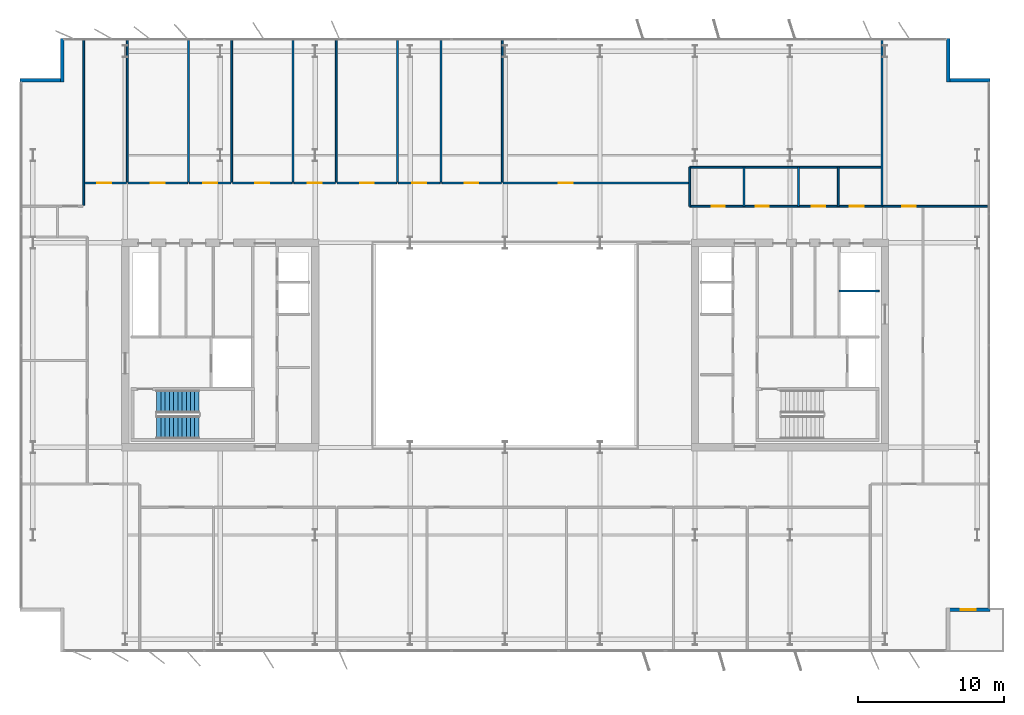
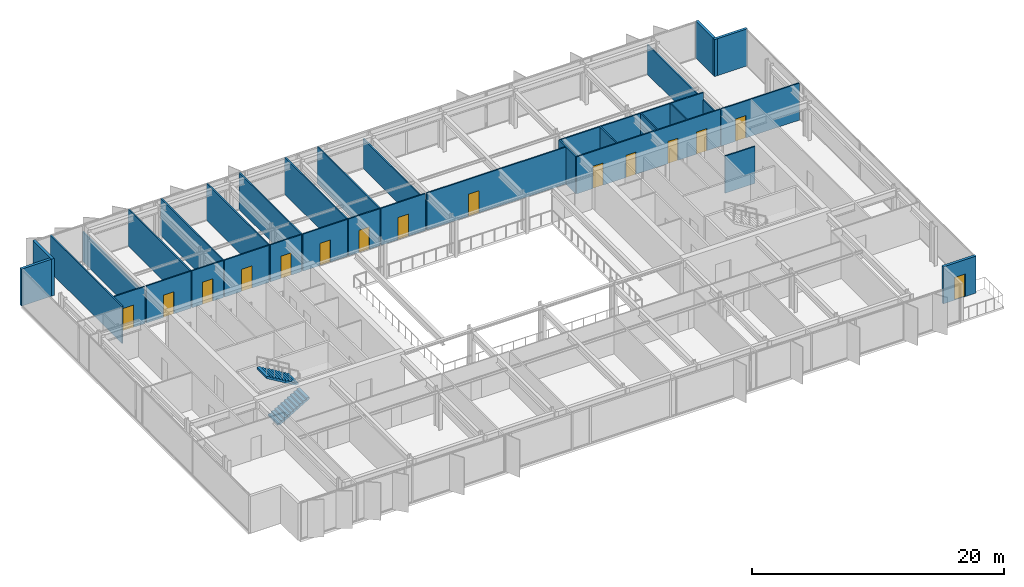
# One storey, part 19 of 24: 32 walls, 15 doors, 2 stair flights, 15 openings, 1 element without a shape of its own.
"""IFC4 building model written with IfcOpenShell, lengths in metres."""

from ifc_helpers import new_model, si_unit, direction, frame, frame_2d, origin, place, context, subcontext, project, spatial, polyline, rectangle, outline, extrude, material, layer, layer_set, type_object, element, fill, aggregate, save


model = new_model("IFC4")

# Units and contexts
model_context = context("Model", 3, precision=1e-05, world=origin(), true_north=direction((0.0, 1.0)))
body_context = subcontext(model_context, "Body", "Model", "MODEL_VIEW")
ifc_project = project(units=[si_unit("LENGTHUNIT", "METRE"), si_unit("AREAUNIT", "SQUARE_METRE"), si_unit("VOLUMEUNIT", "CUBIC_METRE"), si_unit("PLANEANGLEUNIT", "RADIAN"), si_unit("MASSUNIT", "GRAM", prefix="KILO")], contexts=[model_context])

# Site, building, storey
site_placement = place(None, origin())
site = spatial("IfcSite", under=ifc_project, at=site_placement, CompositionType="ELEMENT")
building_placement = place(site_placement, origin())
building = spatial("IfcBuilding", under=site, at=building_placement, Name="Putna Gate Headquarters", CompositionType="ELEMENT")
storey_placement = place(building_placement, frame((0.0, 0.0, 248.0)))
storey = spatial("IfcBuildingStorey", under=building, at=storey_placement, Name="L62", CompositionType="ELEMENT", Elevation=248.0)

# Walls
ifc_material_1 = material(Name="Precast concrete C40/50", Category="concrete")
ifc_layer_1 = layer(ifc_material_1, 0.239990234375)
ifc_layer_set_1 = layer_set([ifc_layer_1], Name="Precast concrete C40/50")
wall_type_1 = type_object("IfcWallType", Name="WALL-EXT-TERR-240", PredefinedType="STANDARD", material=ifc_layer_set_1)
for number, where, z_axis, x_axis, name in (
    (1, (8.679931640625, 44.0, 0.0), (0.0, 0.0, 1.0), (0.0, 1.0, 0.0), "L62 Corner Notch Return Wall NW-V"),
    (2, (5.800048828125, 44.1201171875, 0.0), (0.0, 0.0, 1.0), (1.0, 0.0, 0.0), "L62 Corner Notch Return Wall NW-H"),
    (3, (69.320068359375, 47.0, 0.0), (0.0, 0.0, 1.0), (0.0, -1.0, 0.0), "L62 Corner Notch Return Wall NE-V"),
    (4, (69.199951171875, 44.1201171875, 0.0), (0.0, 0.0, 1.0), (1.0, 0.0, 0.0), "L62 Corner Notch Return Wall NE-H"),
):
    element("IfcWall", number, at=place(storey_placement, frame(where, z_axis=z_axis, x_axis=x_axis)), inside=storey, type_object=wall_type_1, Name=name, PredefinedType="STANDARD", context=body_context, shape_type="SweptSolid", body=[
        extrude(rectangle(XDim=3.0, YDim=0.239990234375, at=frame_2d((1.5, 0.0))), origin(), (0.0, 0.0, 1.0), 3.580078125),
    ])

# Wall, opening, door
wall_1_placement = place(storey_placement, frame((72.199951171875, 7.8798828125, 0.0), z_axis=(0.0, 0.0, 1.0), x_axis=(-1.0, 0.0, 0.0)))
wall_1 = element("IfcWall", 5, at=wall_1_placement, inside=storey, type_object=wall_type_1, Name="L62 Corner Notch Return Wall SE-H", PredefinedType="STANDARD", context=body_context, shape_type="SweptSolid", body=[
    extrude(rectangle(XDim=3.0, YDim=0.239990234375, at=frame_2d((1.5, 0.0))), origin(), (0.0, 0.0, 1.0), 3.580078125),
])
opening_1_placement = place(wall_1_placement, frame((1.0, 0.0, 0.0)))
opening_1 = element("IfcOpeningElement", 6, at=opening_1_placement, cuts=wall_1, Name="Opening TRD-1", PredefinedType="OPENING", context=body_context, shape_type="SweptSolid", body=[
    extrude(rectangle(XDim=1.0, YDim=2.199951171875, at=frame_2d((0.5, 1.10009765625))), frame((0.0, 0.1298828125, 0.0), z_axis=(0.0, -1.0, 0.0), x_axis=(1.0, 0.0, 0.0)), (0.0, 0.0, 1.0), 0.260009765625),
])
ifc_material_2 = material(Name="Thermally broken bronze glazed terrace door")
door_type_1 = type_object("IfcDoorType", Name="DOOR-TERR-EXT-1000", OperationType="NOTDEFINED", PredefinedType="DOOR", material=ifc_material_2)
door_1_placement = place(opening_1_placement, origin())
door_1 = element("IfcDoor", 7, at=door_1_placement, inside=storey, type_object=door_type_1, Name="L62 Spiral Sky Terrace Door SE", OperationType="SINGLE_SWING_RIGHT", OverallHeight=2.199951171875, OverallWidth=1.0, PredefinedType="DOOR", context=body_context, shape_type="SweptSolid", body=[
    extrude(rectangle(XDim=1.0, YDim=2.199951171875, at=frame_2d((0.5, 1.10009765625))), frame((0.0, 0.02490234375, 0.0), z_axis=(0.0, -1.0, 0.0), x_axis=(1.0, 0.0, 0.0)), (0.0, 0.0, 1.0), 0.050048828125),
])
fill(opening_1, door_1)

# Walls
ifc_material_3 = material(Name="Acoustic gypsum board on metal stud")
ifc_layer_2 = layer(ifc_material_3, 0.1201171875)
ifc_layer_set_2 = layer_set([ifc_layer_2], Name="Acoustic gypsum board on metal stud")
wall_type_2 = type_object("IfcWallType", Name="WALL-PART-120", PredefinedType="PARTITIONING", material=ifc_layer_set_2)
wall_2_placement = place(storey_placement, frame((10.169921875, 35.56005859375, 0.0), z_axis=(0.0, 0.0, 1.0), x_axis=(0.0, 1.0, 0.0)))
element("IfcWall", 8, at=wall_2_placement, inside=storey, type_object=wall_type_2, Name="L62 Interior Wall PART-L62-NB-DIV-01", PredefinedType="PARTITIONING", context=body_context, shape_type="SweptSolid", body=[
    extrude(rectangle(XDim=11.419921875, YDim=0.1201171875, at=frame_2d((5.7099609375, 0.0))), origin(), (0.0, 0.0, 1.0), 3.580078125),
])
wall_3_placement = place(storey_placement, frame((13.1376953125, 37.159912109375, 0.0), z_axis=(0.0, 0.0, 1.0), x_axis=(0.0, 1.0, 0.0)))
element("IfcWall", 9, at=wall_3_placement, inside=storey, type_object=wall_type_2, Name="L62 Interior Wall PART-L62-NB-DIV-02", PredefinedType="PARTITIONING", context=body_context, shape_type="SweptSolid", body=[
    extrude(rectangle(XDim=9.820068359375, YDim=0.1201171875, at=frame_2d((4.91015625, 0.0))), origin(), (0.0, 0.0, 1.0), 2.8798828125),
])
for number, where, z_axis, x_axis, name in (
    (10, (17.327392578125, 37.159912109375, 0.0), (0.0, 0.0, 1.0), (0.0, 1.0, 0.0), "L62 Interior Wall PART-L62-NB-DIV-03"),
    (11, (20.295166015625, 37.159912109375, 0.0), (0.0, 0.0, 1.0), (0.0, 1.0, 0.0), "L62 Interior Wall PART-L62-NB-DIV-04"),
    (12, (24.48486328125, 37.159912109375, 0.0), (0.0, 0.0, 1.0), (0.0, 1.0, 0.0), "L62 Interior Wall PART-L62-NB-DIV-05"),
    (13, (27.45263671875, 37.159912109375, 0.0), (0.0, 0.0, 1.0), (0.0, 1.0, 0.0), "L62 Interior Wall PART-L62-NB-DIV-06"),
    (14, (31.642333984375, 37.159912109375, 0.0), (0.0, 0.0, 1.0), (0.0, 1.0, 0.0), "L62 Interior Wall PART-L62-NB-DIV-07"),
    (15, (34.610107421875, 37.159912109375, 0.0), (0.0, 0.0, 1.0), (0.0, 1.0, 0.0), "L62 Interior Wall PART-L62-NB-DIV-08"),
):
    element("IfcWall", number, at=place(storey_placement, frame(where, z_axis=z_axis, x_axis=x_axis)), inside=storey, type_object=wall_type_2, Name=name, PredefinedType="PARTITIONING", context=body_context, shape_type="SweptSolid", body=[
        extrude(rectangle(XDim=9.820068359375, YDim=0.1201171875, at=frame_2d((4.91015625, 0.0))), origin(), (0.0, 0.0, 1.0), 3.580078125),
    ])
wall_4_placement = place(storey_placement, frame((38.800048828125, 37.159912109375, 0.0), z_axis=(0.0, 0.0, 1.0), x_axis=(0.0, 1.0, 0.0)))
element("IfcWall", 16, at=wall_4_placement, inside=storey, type_object=wall_type_2, Name="L62 Interior Wall PART-L62-NB-DIV-09", PredefinedType="PARTITIONING", context=body_context, shape_type="SweptSolid", body=[
    extrude(rectangle(XDim=9.820068359375, YDim=0.1201171875, at=frame_2d((4.91015625, 0.0))), origin(), (0.0, 0.0, 1.0), 2.8798828125),
])
wall_5_placement = place(storey_placement, frame((64.800048828125, 35.56005859375, 0.0), z_axis=(0.0, 0.0, 1.0), x_axis=(0.0, 1.0, 0.0)))
element("IfcWall", 17, at=wall_5_placement, inside=storey, type_object=wall_type_2, Name="L62 Interior Wall PART-L62-NB-DIV-10", PredefinedType="PARTITIONING", context=body_context, shape_type="SweptSolid", body=[
    extrude(rectangle(XDim=11.419921875, YDim=0.1201171875, at=frame_2d((5.7099609375, 0.0))), origin(), (0.0, 0.0, 1.0), 2.8798828125),
])
ifc_material_4 = material(Name="Fire-rated shaftwall gypsum board on metal stud")
ifc_layer_3 = layer(ifc_material_4, 0.1201171875)
ifc_layer_set_3 = layer_set([ifc_layer_3], Name="Fire-rated shaftwall gypsum board on metal stud")
wall_type_3 = type_object("IfcWallType", Name="WALL-PART-120-EI120", PredefinedType="PARTITIONING", material=ifc_layer_set_3)
wall_6_placement = place(storey_placement, frame((61.8701171875, 29.699951171875, 0.0), z_axis=(0.0, 0.0, 1.0), x_axis=(1.0, 0.0, 0.0)))
element("IfcWall", 18, at=wall_6_placement, inside=storey, type_object=wall_type_3, Name="L62 Interior Wall CWINT-L62-EC-LF15-N", PredefinedType="PARTITIONING", context=body_context, shape_type="SweptSolid", body=[
    extrude(rectangle(XDim=2.72998046875, YDim=0.1201171875, at=frame_2d((1.364990234375, 0.0))), origin(), (0.0, 0.0, 1.0), 3.580078125),
])

# Wall, openings, doors
ifc_material_5 = material(Name="Fire-rated gypsum board on metal stud")
ifc_layer_4 = layer(ifc_material_5, 0.1201171875)
ifc_layer_set_4 = layer_set([ifc_layer_4], Name="Fire-rated gypsum board on metal stud")
wall_type_4 = type_object("IfcWallType", Name="WALL-PART-120-RATED", PredefinedType="PARTITIONING", material=ifc_layer_set_4)
wall_7_placement = place(storey_placement, frame((51.639892578125, 35.5, 0.0), z_axis=(0.0, 0.0, 1.0), x_axis=(1.0, 0.0, 0.0)))
wall_7 = element("IfcWall", 19, at=wall_7_placement, inside=storey, type_object=wall_type_4, Name="L62 Interior Wall PART-L62-SAN-CW", PredefinedType="PARTITIONING", context=body_context, shape_type="SweptSolid", body=[
    extrude(rectangle(XDim=13.16015625, YDim=0.1201171875, at=frame_2d((6.580078125, 0.0))), origin(), (0.0, 0.0, 1.0), 3.580078125),
])
opening_2_placement = place(wall_7_placement, frame((1.510009765625, 0.0, 0.0)))
opening_2 = element("IfcOpeningElement", 20, at=opening_2_placement, cuts=wall_7, Name="Opening FD-90", PredefinedType="OPENING", context=body_context, shape_type="SweptSolid", body=[
    extrude(rectangle(XDim=0.89990234375, YDim=2.14990234375, at=frame_2d((0.449951171875, 1.074951171875))), frame((0.0, 0.070068359375, 0.0), z_axis=(0.0, -1.0, 0.0), x_axis=(1.0, 0.0, 0.0)), (0.0, 0.0, 1.0), 0.14013671875),
])
opening_3_placement = place(wall_7_placement, frame((4.510009765625, 0.0, 0.0)))
opening_3 = element("IfcOpeningElement", 21, at=opening_3_placement, cuts=wall_7, Name="Opening FD-90", PredefinedType="OPENING", context=body_context, shape_type="SweptSolid", body=[
    extrude(rectangle(XDim=0.89990234375, YDim=2.14990234375, at=frame_2d((0.449951171875, 1.074951171875))), frame((0.0, 0.070068359375, 0.0), z_axis=(0.0, -1.0, 0.0), x_axis=(1.0, 0.0, 0.0)), (0.0, 0.0, 1.0), 0.14013671875),
])
opening_4_placement = place(wall_7_placement, frame((8.360107421875, 0.0, 0.0)))
opening_4 = element("IfcOpeningElement", 22, at=opening_4_placement, cuts=wall_7, Name="Opening FD-90", PredefinedType="OPENING", context=body_context, shape_type="SweptSolid", body=[
    extrude(rectangle(XDim=0.89990234375, YDim=2.14990234375, at=frame_2d((0.449951171875, 1.074951171875))), frame((0.0, 0.070068359375, 0.0), z_axis=(0.0, -1.0, 0.0), x_axis=(1.0, 0.0, 0.0)), (0.0, 0.0, 1.0), 0.14013671875),
])
opening_5_placement = place(wall_7_placement, frame((10.9599609375, 0.0, 0.0)))
opening_5 = element("IfcOpeningElement", 23, at=opening_5_placement, cuts=wall_7, Name="Opening FD-95", PredefinedType="OPENING", context=body_context, shape_type="SweptSolid", body=[
    extrude(rectangle(XDim=0.949951171875, YDim=2.14990234375, at=frame_2d((0.47509765625, 1.074951171875))), frame((0.0, 0.070068359375, 0.0), z_axis=(0.0, -1.0, 0.0), x_axis=(1.0, 0.0, 0.0)), (0.0, 0.0, 1.0), 0.14013671875),
])
ifc_material_6 = material(Name="Acoustic washroom fire door")
door_type_2 = type_object("IfcDoorType", Name="DOOR-FIRE-900", OperationType="NOTDEFINED", PredefinedType="DOOR", material=ifc_material_6)
door_2_placement = place(opening_2_placement, origin())
door_2 = element("IfcDoor", 24, at=door_2_placement, inside=storey, type_object=door_type_2, Name="L62 Washroom Male Door", OperationType="SINGLE_SWING_RIGHT", OverallHeight=2.14990234375, OverallWidth=0.89990234375, PredefinedType="DOOR", context=body_context, shape_type="SweptSolid", body=[
    extrude(rectangle(XDim=0.89990234375, YDim=2.14990234375, at=frame_2d((0.449951171875, 1.074951171875))), frame((0.0, 0.02490234375, 0.0), z_axis=(0.0, -1.0, 0.0), x_axis=(1.0, 0.0, 0.0)), (0.0, 0.0, 1.0), 0.050048828125),
])
fill(opening_2, door_2)
door_3_placement = place(opening_3_placement, origin())
door_3 = element("IfcDoor", 25, at=door_3_placement, inside=storey, type_object=door_type_2, Name="L62 Washroom Female Door", OperationType="SINGLE_SWING_LEFT", OverallHeight=2.14990234375, OverallWidth=0.89990234375, PredefinedType="DOOR", context=body_context, shape_type="SweptSolid", body=[
    extrude(rectangle(XDim=0.89990234375, YDim=2.14990234375, at=frame_2d((0.449951171875, 1.074951171875))), frame((0.0, 0.02490234375, 0.0), z_axis=(0.0, -1.0, 0.0), x_axis=(1.0, 0.0, 0.0)), (0.0, 0.0, 1.0), 0.050048828125),
])
fill(opening_3, door_3)
door_4_placement = place(opening_4_placement, origin())
door_4 = element("IfcDoor", 26, at=door_4_placement, inside=storey, type_object=door_type_2, Name="L62 Accessible WC Door", OperationType="SINGLE_SWING_RIGHT", OverallHeight=2.14990234375, OverallWidth=0.89990234375, PredefinedType="DOOR", context=body_context, shape_type="SweptSolid", body=[
    extrude(rectangle(XDim=0.89990234375, YDim=2.14990234375, at=frame_2d((0.449951171875, 1.074951171875))), frame((0.0, 0.02490234375, 0.0), z_axis=(0.0, -1.0, 0.0), x_axis=(1.0, 0.0, 0.0)), (0.0, 0.0, 1.0), 0.050048828125),
])
fill(opening_4, door_4)
ifc_material_7 = material(Name="Acoustic timber fire door", Category="wood")
door_type_3 = type_object("IfcDoorType", Name="DOOR-FIRE-950", OperationType="NOTDEFINED", PredefinedType="DOOR", material=ifc_material_7)
door_5_placement = place(opening_5_placement, origin())
door_5 = element("IfcDoor", 27, at=door_5_placement, inside=storey, type_object=door_type_3, Name="L62 Staff Pantry and Tea Point Door", OperationType="SINGLE_SWING_LEFT", OverallHeight=2.14990234375, OverallWidth=0.949951171875, PredefinedType="DOOR", context=body_context, shape_type="SweptSolid", body=[
    extrude(rectangle(XDim=0.949951171875, YDim=2.14990234375, at=frame_2d((0.47509765625, 1.074951171875))), frame((0.0, 0.02490234375, 0.0), z_axis=(0.0, -1.0, 0.0), x_axis=(1.0, 0.0, 0.0)), (0.0, 0.0, 1.0), 0.050048828125),
])
fill(opening_5, door_5)

# Walls
wall_8_placement = place(storey_placement, frame((51.639892578125, 38.179931640625, 0.0), z_axis=(0.0, 0.0, 1.0), x_axis=(1.0, 0.0, 0.0)))
element("IfcWall", 28, at=wall_8_placement, inside=storey, type_object=wall_type_4, Name="L62 Interior Wall PART-L62-SAN-BACK", PredefinedType="PARTITIONING", context=body_context, shape_type="SweptSolid", body=[
    extrude(rectangle(XDim=13.16015625, YDim=0.1201171875, at=frame_2d((6.580078125, 0.0))), origin(), (0.0, 0.0, 1.0), 3.580078125),
])
for number, where, z_axis, x_axis, name in (
    (29, (51.639892578125, 35.5, 0.0), (0.0, 0.0, 1.0), (0.0, 1.0, 0.0), "L62 Interior Wall PART-L62-SAN-DIV-1"),
    (30, (55.360107421875, 35.5, 0.0), (0.0, 0.0, 1.0), (0.0, 1.0, 0.0), "L62 Interior Wall PART-L62-SAN-DIV-2"),
    (31, (59.080078125, 35.5, 0.0), (0.0, 0.0, 1.0), (0.0, 1.0, 0.0), "L62 Interior Wall PART-L62-SAN-DIV-3"),
    (32, (61.800048828125, 35.5, 0.0), (0.0, 0.0, 1.0), (0.0, 1.0, 0.0), "L62 Interior Wall PART-L62-SAN-DIV-4"),
):
    element("IfcWall", number, at=place(storey_placement, frame(where, z_axis=z_axis, x_axis=x_axis)), inside=storey, type_object=wall_type_4, Name=name, PredefinedType="PARTITIONING", context=body_context, shape_type="SweptSolid", body=[
        extrude(rectangle(XDim=2.679931640625, YDim=0.1201171875, at=frame_2d((1.33984375, 0.0))), origin(), (0.0, 0.0, 1.0), 3.580078125),
    ])

# Wall, opening, door
wall_9_placement = place(storey_placement, frame((10.229736328125, 37.10009765625, 0.0), z_axis=(0.0, 0.0, 1.0), x_axis=(1.0, 0.0, 0.0)))
wall_9 = element("IfcWall", 33, at=wall_9_placement, inside=storey, type_object=wall_type_4, Name="L62 Interior Wall PART-L62-NB-CW-02", PredefinedType="PARTITIONING", context=body_context, shape_type="SweptSolid", body=[
    extrude(rectangle(XDim=2.847900390625, YDim=0.1201171875, at=frame_2d((1.423828125, 0.0))), origin(), (0.0, 0.0, 1.0), 3.580078125),
])
opening_6_placement = place(wall_9_placement, frame((0.854248046875, 0.0, 0.0)))
opening_6 = element("IfcOpeningElement", 34, at=opening_6_placement, cuts=wall_9, Name="Opening FD-95", PredefinedType="OPENING", context=body_context, shape_type="SweptSolid", body=[
    extrude(rectangle(XDim=0.949951171875, YDim=2.14990234375, at=frame_2d((0.47509765625, 1.074951171875))), frame((0.0, 0.070068359375, 0.0), z_axis=(0.0, -1.0, 0.0), x_axis=(1.0, 0.0, 0.0)), (0.0, 0.0, 1.0), 0.14013671875),
])
door_6_placement = place(opening_6_placement, origin())
door_6 = element("IfcDoor", 35, at=door_6_placement, inside=storey, type_object=door_type_3, Name="L62 Cellular Office 5 Door", OperationType="SINGLE_SWING_LEFT", OverallHeight=2.14990234375, OverallWidth=0.949951171875, PredefinedType="DOOR", context=body_context, shape_type="SweptSolid", body=[
    extrude(rectangle(XDim=0.949951171875, YDim=2.14990234375, at=frame_2d((0.47509765625, 1.074951171875))), frame((0.0, 0.02490234375, 0.0), z_axis=(0.0, -1.0, 0.0), x_axis=(1.0, 0.0, 0.0)), (0.0, 0.0, 1.0), 0.050048828125),
])
fill(opening_6, door_6)

wall_10_placement = place(storey_placement, frame((13.197509765625, 37.10009765625, 0.0), z_axis=(0.0, 0.0, 1.0), x_axis=(1.0, 0.0, 0.0)))
wall_10 = element("IfcWall", 36, at=wall_10_placement, inside=storey, type_object=wall_type_4, Name="L62 Interior Wall PART-L62-NB-CW-03", PredefinedType="PARTITIONING", context=body_context, shape_type="SweptSolid", body=[
    extrude(rectangle(XDim=4.06982421875, YDim=0.1201171875, at=frame_2d((2.034912109375, 0.0))), origin(), (0.0, 0.0, 1.0), 3.580078125),
])
opening_7_placement = place(wall_10_placement, frame((1.559814453125, 0.0, 0.0)))
opening_7 = element("IfcOpeningElement", 37, at=opening_7_placement, cuts=wall_10, Name="Opening FD-95", PredefinedType="OPENING", context=body_context, shape_type="SweptSolid", body=[
    extrude(rectangle(XDim=0.949951171875, YDim=2.14990234375, at=frame_2d((0.47509765625, 1.074951171875))), frame((0.0, 0.070068359375, 0.0), z_axis=(0.0, -1.0, 0.0), x_axis=(1.0, 0.0, 0.0)), (0.0, 0.0, 1.0), 0.14013671875),
])
door_7_placement = place(opening_7_placement, origin())
door_7 = element("IfcDoor", 38, at=door_7_placement, inside=storey, type_object=door_type_3, Name="L62 Cellular Office 6 Door", OperationType="SINGLE_SWING_RIGHT", OverallHeight=2.14990234375, OverallWidth=0.949951171875, PredefinedType="DOOR", context=body_context, shape_type="SweptSolid", body=[
    extrude(rectangle(XDim=0.949951171875, YDim=2.14990234375, at=frame_2d((0.47509765625, 1.074951171875))), frame((0.0, 0.02490234375, 0.0), z_axis=(0.0, -1.0, 0.0), x_axis=(1.0, 0.0, 0.0)), (0.0, 0.0, 1.0), 0.050048828125),
])
fill(opening_7, door_7)

wall_11_placement = place(storey_placement, frame((17.38720703125, 37.10009765625, 0.0), z_axis=(0.0, 0.0, 1.0), x_axis=(1.0, 0.0, 0.0)))
wall_11 = element("IfcWall", 39, at=wall_11_placement, inside=storey, type_object=wall_type_4, Name="L62 Interior Wall PART-L62-NB-CW-04", PredefinedType="PARTITIONING", context=body_context, shape_type="SweptSolid", body=[
    extrude(rectangle(XDim=2.847900390625, YDim=0.1201171875, at=frame_2d((1.423828125, 0.0))), origin(), (0.0, 0.0, 1.0), 3.580078125),
])
opening_8_placement = place(wall_11_placement, frame((0.948974609375, 0.0, 0.0)))
opening_8 = element("IfcOpeningElement", 40, at=opening_8_placement, cuts=wall_11, Name="Opening FD-95", PredefinedType="OPENING", context=body_context, shape_type="SweptSolid", body=[
    extrude(rectangle(XDim=0.949951171875, YDim=2.14990234375, at=frame_2d((0.47509765625, 1.074951171875))), frame((0.0, 0.070068359375, 0.0), z_axis=(0.0, -1.0, 0.0), x_axis=(1.0, 0.0, 0.0)), (0.0, 0.0, 1.0), 0.14013671875),
])
door_8_placement = place(opening_8_placement, origin())
door_8 = element("IfcDoor", 41, at=door_8_placement, inside=storey, type_object=door_type_3, Name="L62 Cellular Office 7 Door", OperationType="SINGLE_SWING_LEFT", OverallHeight=2.14990234375, OverallWidth=0.949951171875, PredefinedType="DOOR", context=body_context, shape_type="SweptSolid", body=[
    extrude(rectangle(XDim=0.949951171875, YDim=2.14990234375, at=frame_2d((0.47509765625, 1.074951171875))), frame((0.0, 0.02490234375, 0.0), z_axis=(0.0, -1.0, 0.0), x_axis=(1.0, 0.0, 0.0)), (0.0, 0.0, 1.0), 0.050048828125),
])
fill(opening_8, door_8)

wall_12_placement = place(storey_placement, frame((20.35498046875, 37.10009765625, 0.0), z_axis=(0.0, 0.0, 1.0), x_axis=(1.0, 0.0, 0.0)))
wall_12 = element("IfcWall", 42, at=wall_12_placement, inside=storey, type_object=wall_type_4, Name="L62 Interior Wall PART-L62-NB-CW-05", PredefinedType="PARTITIONING", context=body_context, shape_type="SweptSolid", body=[
    extrude(rectangle(XDim=4.06982421875, YDim=0.1201171875, at=frame_2d((2.034912109375, 0.0))), origin(), (0.0, 0.0, 1.0), 3.580078125),
])
opening_9_placement = place(wall_12_placement, frame((1.559814453125, 0.0, 0.0)))
opening_9 = element("IfcOpeningElement", 43, at=opening_9_placement, cuts=wall_12, Name="Opening FD-95", PredefinedType="OPENING", context=body_context, shape_type="SweptSolid", body=[
    extrude(rectangle(XDim=0.949951171875, YDim=2.14990234375, at=frame_2d((0.47509765625, 1.074951171875))), frame((0.0, 0.070068359375, 0.0), z_axis=(0.0, -1.0, 0.0), x_axis=(1.0, 0.0, 0.0)), (0.0, 0.0, 1.0), 0.14013671875),
])
door_9_placement = place(opening_9_placement, origin())
door_9 = element("IfcDoor", 44, at=door_9_placement, inside=storey, type_object=door_type_3, Name="L62 Cellular Office 8 Door", OperationType="SINGLE_SWING_RIGHT", OverallHeight=2.14990234375, OverallWidth=0.949951171875, PredefinedType="DOOR", context=body_context, shape_type="SweptSolid", body=[
    extrude(rectangle(XDim=0.949951171875, YDim=2.14990234375, at=frame_2d((0.47509765625, 1.074951171875))), frame((0.0, 0.02490234375, 0.0), z_axis=(0.0, -1.0, 0.0), x_axis=(1.0, 0.0, 0.0)), (0.0, 0.0, 1.0), 0.050048828125),
])
fill(opening_9, door_9)

wall_13_placement = place(storey_placement, frame((24.544921875, 37.10009765625, 0.0), z_axis=(0.0, 0.0, 1.0), x_axis=(1.0, 0.0, 0.0)))
wall_13 = element("IfcWall", 45, at=wall_13_placement, inside=storey, type_object=wall_type_4, Name="L62 Interior Wall PART-L62-NB-CW-06", PredefinedType="PARTITIONING", context=body_context, shape_type="SweptSolid", body=[
    extrude(rectangle(XDim=2.84765625, YDim=0.1201171875, at=frame_2d((1.423828125, 0.0))), origin(), (0.0, 0.0, 1.0), 3.580078125),
])
opening_10_placement = place(wall_13_placement, frame((0.948974609375, 0.0, 0.0)))
opening_10 = element("IfcOpeningElement", 46, at=opening_10_placement, cuts=wall_13, Name="Opening FD-95", PredefinedType="OPENING", context=body_context, shape_type="SweptSolid", body=[
    extrude(rectangle(XDim=0.949951171875, YDim=2.14990234375, at=frame_2d((0.47509765625, 1.074951171875))), frame((0.0, 0.070068359375, 0.0), z_axis=(0.0, -1.0, 0.0), x_axis=(1.0, 0.0, 0.0)), (0.0, 0.0, 1.0), 0.14013671875),
])
door_10_placement = place(opening_10_placement, origin())
door_10 = element("IfcDoor", 47, at=door_10_placement, inside=storey, type_object=door_type_3, Name="L62 Conference Meeting Room 1 Door", OperationType="SINGLE_SWING_LEFT", OverallHeight=2.14990234375, OverallWidth=0.949951171875, PredefinedType="DOOR", context=body_context, shape_type="SweptSolid", body=[
    extrude(rectangle(XDim=0.949951171875, YDim=2.14990234375, at=frame_2d((0.47509765625, 1.074951171875))), frame((0.0, 0.02490234375, 0.0), z_axis=(0.0, -1.0, 0.0), x_axis=(1.0, 0.0, 0.0)), (0.0, 0.0, 1.0), 0.050048828125),
])
fill(opening_10, door_10)

wall_14_placement = place(storey_placement, frame((27.5126953125, 37.10009765625, 0.0), z_axis=(0.0, 0.0, 1.0), x_axis=(1.0, 0.0, 0.0)))
wall_14 = element("IfcWall", 48, at=wall_14_placement, inside=storey, type_object=wall_type_4, Name="L62 Interior Wall PART-L62-NB-CW-07", PredefinedType="PARTITIONING", context=body_context, shape_type="SweptSolid", body=[
    extrude(rectangle(XDim=4.06982421875, YDim=0.1201171875, at=frame_2d((2.034912109375, 0.0))), origin(), (0.0, 0.0, 1.0), 3.580078125),
])
opening_11_placement = place(wall_14_placement, frame((1.559814453125, 0.0, 0.0)))
opening_11 = element("IfcOpeningElement", 49, at=opening_11_placement, cuts=wall_14, Name="Opening FD-95", PredefinedType="OPENING", context=body_context, shape_type="SweptSolid", body=[
    extrude(rectangle(XDim=0.949951171875, YDim=2.14990234375, at=frame_2d((0.47509765625, 1.074951171875))), frame((0.0, 0.070068359375, 0.0), z_axis=(0.0, -1.0, 0.0), x_axis=(1.0, 0.0, 0.0)), (0.0, 0.0, 1.0), 0.14013671875),
])
door_11_placement = place(opening_11_placement, origin())
door_11 = element("IfcDoor", 50, at=door_11_placement, inside=storey, type_object=door_type_3, Name="L62 Conference Meeting Room 2 Door", OperationType="SINGLE_SWING_RIGHT", OverallHeight=2.14990234375, OverallWidth=0.949951171875, PredefinedType="DOOR", context=body_context, shape_type="SweptSolid", body=[
    extrude(rectangle(XDim=0.949951171875, YDim=2.14990234375, at=frame_2d((0.47509765625, 1.074951171875))), frame((0.0, 0.02490234375, 0.0), z_axis=(0.0, -1.0, 0.0), x_axis=(1.0, 0.0, 0.0)), (0.0, 0.0, 1.0), 0.050048828125),
])
fill(opening_11, door_11)

wall_15_placement = place(storey_placement, frame((31.702392578125, 37.10009765625, 0.0), z_axis=(0.0, 0.0, 1.0), x_axis=(1.0, 0.0, 0.0)))
wall_15 = element("IfcWall", 51, at=wall_15_placement, inside=storey, type_object=wall_type_4, Name="L62 Interior Wall PART-L62-NB-CW-08", PredefinedType="PARTITIONING", context=body_context, shape_type="SweptSolid", body=[
    extrude(rectangle(XDim=2.847900390625, YDim=0.1201171875, at=frame_2d((1.423828125, 0.0))), origin(), (0.0, 0.0, 1.0), 3.580078125),
])
opening_12_placement = place(wall_15_placement, frame((0.948974609375, 0.0, 0.0)))
opening_12 = element("IfcOpeningElement", 52, at=opening_12_placement, cuts=wall_15, Name="Opening FD-95", PredefinedType="OPENING", context=body_context, shape_type="SweptSolid", body=[
    extrude(rectangle(XDim=0.949951171875, YDim=2.14990234375, at=frame_2d((0.47509765625, 1.074951171875))), frame((0.0, 0.070068359375, 0.0), z_axis=(0.0, -1.0, 0.0), x_axis=(1.0, 0.0, 0.0)), (0.0, 0.0, 1.0), 0.14013671875),
])
door_12_placement = place(opening_12_placement, origin())
door_12 = element("IfcDoor", 53, at=door_12_placement, inside=storey, type_object=door_type_3, Name="L62 Conference Meeting Room 3 Door", OperationType="SINGLE_SWING_LEFT", OverallHeight=2.14990234375, OverallWidth=0.949951171875, PredefinedType="DOOR", context=body_context, shape_type="SweptSolid", body=[
    extrude(rectangle(XDim=0.949951171875, YDim=2.14990234375, at=frame_2d((0.47509765625, 1.074951171875))), frame((0.0, 0.02490234375, 0.0), z_axis=(0.0, -1.0, 0.0), x_axis=(1.0, 0.0, 0.0)), (0.0, 0.0, 1.0), 0.050048828125),
])
fill(opening_12, door_12)

wall_16_placement = place(storey_placement, frame((34.670166015625, 37.10009765625, 0.0), z_axis=(0.0, 0.0, 1.0), x_axis=(1.0, 0.0, 0.0)))
wall_16 = element("IfcWall", 54, at=wall_16_placement, inside=storey, type_object=wall_type_4, Name="L62 Interior Wall PART-L62-NB-CW-09", PredefinedType="PARTITIONING", context=body_context, shape_type="SweptSolid", body=[
    extrude(rectangle(XDim=4.06982421875, YDim=0.1201171875, at=frame_2d((2.034912109375, 0.0))), origin(), (0.0, 0.0, 1.0), 3.580078125),
])
opening_13_placement = place(wall_16_placement, frame((1.559814453125, 0.0, 0.0)))
opening_13 = element("IfcOpeningElement", 55, at=opening_13_placement, cuts=wall_16, Name="Opening FD-95", PredefinedType="OPENING", context=body_context, shape_type="SweptSolid", body=[
    extrude(rectangle(XDim=0.949951171875, YDim=2.14990234375, at=frame_2d((0.47509765625, 1.074951171875))), frame((0.0, 0.070068359375, 0.0), z_axis=(0.0, -1.0, 0.0), x_axis=(1.0, 0.0, 0.0)), (0.0, 0.0, 1.0), 0.14013671875),
])
door_13_placement = place(opening_13_placement, origin())
door_13 = element("IfcDoor", 56, at=door_13_placement, inside=storey, type_object=door_type_3, Name="L62 Conference Meeting Room 4 Door", OperationType="SINGLE_SWING_RIGHT", OverallHeight=2.14990234375, OverallWidth=0.949951171875, PredefinedType="DOOR", context=body_context, shape_type="SweptSolid", body=[
    extrude(rectangle(XDim=0.949951171875, YDim=2.14990234375, at=frame_2d((0.47509765625, 1.074951171875))), frame((0.0, 0.02490234375, 0.0), z_axis=(0.0, -1.0, 0.0), x_axis=(1.0, 0.0, 0.0)), (0.0, 0.0, 1.0), 0.050048828125),
])
fill(opening_13, door_13)

wall_17_placement = place(storey_placement, frame((38.860107421875, 37.10009765625, 0.0), z_axis=(0.0, 0.0, 1.0), x_axis=(1.0, 0.0, 0.0)))
wall_17 = element("IfcWall", 57, at=wall_17_placement, inside=storey, type_object=wall_type_4, Name="L62 Interior Wall PART-L62-NB-CW-10", PredefinedType="PARTITIONING", context=body_context, shape_type="SweptSolid", body=[
    extrude(rectangle(XDim=12.719970703125, YDim=0.1201171875, at=frame_2d((6.35986328125, 0.0))), origin(), (0.0, 0.0, 1.0), 3.580078125),
])
opening_14_placement = place(wall_17_placement, frame((3.81591796875, 0.0, 0.0)))
opening_14 = element("IfcOpeningElement", 58, at=opening_14_placement, cuts=wall_17, Name="Opening FD-95", PredefinedType="OPENING", context=body_context, shape_type="SweptSolid", body=[
    extrude(rectangle(XDim=0.949951171875, YDim=2.14990234375, at=frame_2d((0.47509765625, 1.074951171875))), frame((0.0, 0.070068359375, 0.0), z_axis=(0.0, -1.0, 0.0), x_axis=(1.0, 0.0, 0.0)), (0.0, 0.0, 1.0), 0.14013671875),
])
door_14_placement = place(opening_14_placement, origin())
door_14 = element("IfcDoor", 59, at=door_14_placement, inside=storey, type_object=door_type_3, Name="L62 Primary Open Office Workplace Door", OperationType="SINGLE_SWING_LEFT", OverallHeight=2.14990234375, OverallWidth=0.949951171875, PredefinedType="DOOR", context=body_context, shape_type="SweptSolid", body=[
    extrude(rectangle(XDim=0.949951171875, YDim=2.14990234375, at=frame_2d((0.47509765625, 1.074951171875))), frame((0.0, 0.02490234375, 0.0), z_axis=(0.0, -1.0, 0.0), x_axis=(1.0, 0.0, 0.0)), (0.0, 0.0, 1.0), 0.050048828125),
])
fill(opening_14, door_14)

wall_18_placement = place(storey_placement, frame((64.860107421875, 35.5, 0.0), z_axis=(0.0, 0.0, 1.0), x_axis=(1.0, 0.0, 0.0)))
wall_18 = element("IfcWall", 60, at=wall_18_placement, inside=storey, type_object=wall_type_4, Name="L62 Interior Wall PART-L62-NB-CW-11", PredefinedType="PARTITIONING", context=body_context, shape_type="SweptSolid", body=[
    extrude(rectangle(XDim=7.159912109375, YDim=0.1201171875, at=frame_2d((3.580078125, 0.0))), origin(), (0.0, 0.0, 1.0), 3.580078125),
])
opening_15_placement = place(wall_18_placement, frame((1.31005859375, 0.0, 0.0)))
opening_15 = element("IfcOpeningElement", 61, at=opening_15_placement, cuts=wall_18, Name="Opening FD-95", PredefinedType="OPENING", context=body_context, shape_type="SweptSolid", body=[
    extrude(rectangle(XDim=0.949951171875, YDim=2.14990234375, at=frame_2d((0.47509765625, 1.074951171875))), frame((0.0, 0.070068359375, 0.0), z_axis=(0.0, -1.0, 0.0), x_axis=(1.0, 0.0, 0.0)), (0.0, 0.0, 1.0), 0.14013671875),
])
door_15_placement = place(opening_15_placement, origin())
door_15 = element("IfcDoor", 62, at=door_15_placement, inside=storey, type_object=door_type_3, Name="L62 Cellular Office 2 Door", OperationType="SINGLE_SWING_RIGHT", OverallHeight=2.14990234375, OverallWidth=0.949951171875, PredefinedType="DOOR", context=body_context, shape_type="SweptSolid", body=[
    extrude(rectangle(XDim=0.949951171875, YDim=2.14990234375, at=frame_2d((0.47509765625, 1.074951171875))), frame((0.0, 0.02490234375, 0.0), z_axis=(0.0, -1.0, 0.0), x_axis=(1.0, 0.0, 0.0)), (0.0, 0.0, 1.0), 0.050048828125),
])
fill(opening_15, door_15)

# Stair, stair flights
ifc_material_8 = material(Name="Concrete C40/50", Category="concrete")
stair_type = type_object("IfcStairType", Name="STAIR-ST1", PredefinedType="HALF_TURN_STAIR", material=ifc_material_8)
stair_placement = place(storey_placement, origin())
stair = element("IfcStair", 63, at=stair_placement, inside=storey, type_object=stair_type, Name="L62 West Core Exit Stair ST1", PredefinedType="HALF_TURN_STAIR")
stair_flight_type = type_object("IfcStairFlightType", Name="FLIGHT-ST1", PredefinedType="STRAIGHT", material=ifc_material_8)
stair_flight_1_placement = place(storey_placement, frame((15.14990234375, 20.375, 0.0), z_axis=(0.0, 0.0, 1.0), x_axis=(1.0, 0.0, 0.0)))
stair_flight_1 = element("IfcStairFlight", 64, at=stair_flight_1_placement, type_object=stair_flight_type, Name="ST1 flight 1", NumberOfRisers=11, NumberOfTreads=10, PredefinedType="STRAIGHT", RiserHeight=0.172727273, TreadLength=0.29, context=body_context, shape_type="SweptSolid", body=[
    extrude(outline(polyline([(0.0, 0.0), (0.0, 0.172607421875), (0.2900390625, 0.172607421875), (0.2900390625, 0.345458984375), (0.580078125, 0.345458984375), (0.580078125, 0.51806640625), (0.8701171875, 0.51806640625), (0.8701171875, 0.69091796875), (1.159912109375, 0.69091796875), (1.159912109375, 0.863525390625), (1.449951171875, 0.863525390625), (1.449951171875, 1.036376953125), (1.739990234375, 1.036376953125), (1.739990234375, 1.208984375), (2.030029296875, 1.208984375), (2.030029296875, 1.3818359375), (2.320068359375, 1.3818359375), (2.320068359375, 1.554443359375), (2.610107421875, 1.554443359375), (2.610107421875, 1.727294921875), (2.89990234375, 1.727294921875), (2.89990234375, 1.89990234375), (2.89990234375, 1.552734375), (0.29296875, 0.0), (0.0, 0.0)])), frame((0.0, 0.77490234375, 0.0), z_axis=(0.0, -1.0, 0.0), x_axis=(1.0, 0.0, 0.0)), (0.0, 0.0, 1.0), 1.550048828125),
])
stair_flight_2_placement = place(storey_placement, frame((18.050048828125, 22.125, 1.89990234375), z_axis=(0.0, 0.0, 1.0), x_axis=(-1.0, 0.0, 0.0)))
stair_flight_2 = element("IfcStairFlight", 65, at=stair_flight_2_placement, type_object=stair_flight_type, Name="ST1 flight 2", NumberOfRisers=11, NumberOfTreads=10, PredefinedType="STRAIGHT", RiserHeight=0.172727273, TreadLength=0.29, context=body_context, shape_type="SweptSolid", body=[
    extrude(outline(polyline([(0.0, 0.0), (0.0, 0.172607421875), (0.2900390625, 0.172607421875), (0.2900390625, 0.345458984375), (0.580078125, 0.345458984375), (0.580078125, 0.51806640625), (0.8701171875, 0.51806640625), (0.8701171875, 0.69091796875), (1.159912109375, 0.69091796875), (1.159912109375, 0.863525390625), (1.449951171875, 0.863525390625), (1.449951171875, 1.036376953125), (1.739990234375, 1.036376953125), (1.739990234375, 1.208984375), (2.030029296875, 1.208984375), (2.030029296875, 1.3818359375), (2.320068359375, 1.3818359375), (2.320068359375, 1.554443359375), (2.610107421875, 1.554443359375), (2.610107421875, 1.727294921875), (2.89990234375, 1.727294921875), (2.89990234375, 1.89990234375), (2.89990234375, 1.552734375), (0.29296875, 0.0), (0.0, 0.0)])), frame((0.0, 0.77490234375, 0.0), z_axis=(0.0, -1.0, 0.0), x_axis=(1.0, 0.0, 0.0)), (0.0, 0.0, 1.0), 1.550048828125),
])
aggregate(stair, [stair_flight_1, stair_flight_2])

save(model, "model.ifc")
